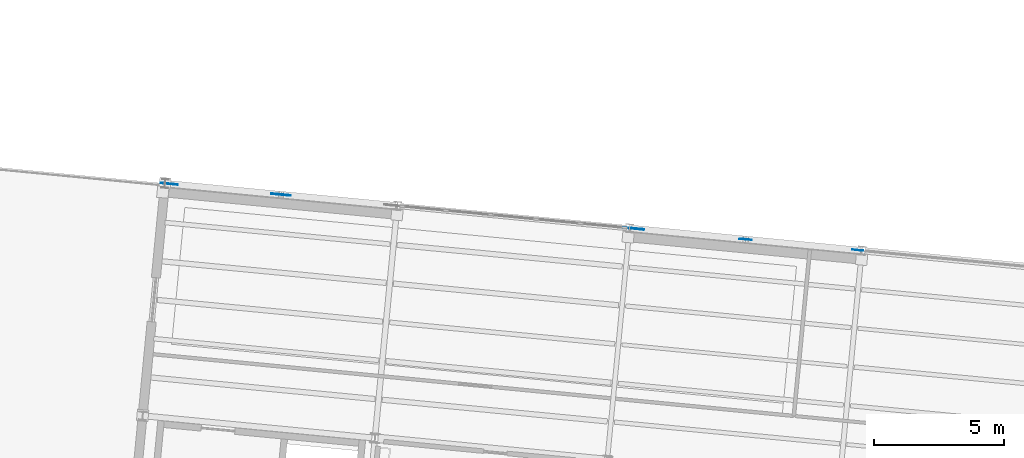
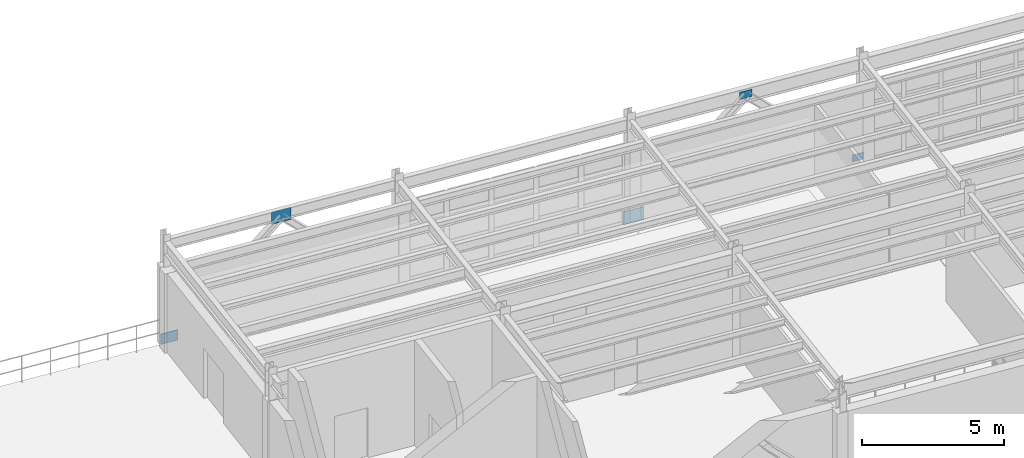
# One storey, part 82 of 102: 5 plates.
"""IFC4 building model written with IfcOpenShell, lengths in metres."""

import ifcopenshell
import ifcopenshell.guid

model = None  # the IFC model being written
_history = None  # IfcOwnerHistory: only IFC2X3 demands one
_inside = {}  # id of a spatial element -> (the spatial element, [elements in it])
_under = {}  # id of a project, library or spatial element -> (it, [spatial elements below it])
_declared = {}  # id of a project -> (the project, [libraries it declares])
_typed = {}  # id of a type object -> (the type object, [elements of that type])
_made_of = {}  # id of a material, layer set ... -> (it, [elements and type objects made of it])


def new_model(schema):
    """Start an empty IFC model of exactly this schema.

    Asked for "IFC4X3", IfcOpenShell would pick the latest addendum, in which some entities
    have other attributes; the version numbers below select the first issue.
    IFC2X3 requires an IfcOwnerHistory on every rooted entity: one is made here for all.
    """
    global model, _history
    if schema == "IFC4X3":
        model = ifcopenshell.file(schema_version=(4, 3, 0, 0))
    else:
        model = ifcopenshell.file(schema=schema)
    _inside.clear()
    _under.clear()
    _declared.clear()
    _typed.clear()
    _made_of.clear()
    _history = None
    if model.schema == "IFC2X3":
        org = make("IfcOrganization", Name="unknown")
        user = make(
            "IfcPersonAndOrganization",
            ThePerson=make("IfcPerson", FamilyName="unknown"),
            TheOrganization=org,
        )
        app = make(
            "IfcApplication",
            ApplicationDeveloper=org,
            Version="unknown",
            ApplicationFullName="unknown",
            ApplicationIdentifier="unknown",
        )
        _history = make(
            "IfcOwnerHistory",
            OwningUser=user,
            OwningApplication=app,
            ChangeAction="ADDED",
            CreationDate=0,
        )
    return model


def make(cls, **values):
    """One entity of the class cls with the attributes given. An attribute that is None is left unset."""
    return model.create_entity(
        cls, **{name: value for name, value in values.items() if value is not None}
    )


def rooted(cls, **values):
    """An entity with a GlobalId (a new one), such as an element, a storey or a relation."""
    return make(cls, GlobalId=ifcopenshell.guid.new(), OwnerHistory=_history, **values)


def si_unit(unit_type, name, prefix=None):
    """IfcSIUnit, for example si_unit("LENGTHUNIT", "METRE", prefix="MILLI")."""
    return make("IfcSIUnit", UnitType=unit_type, Prefix=prefix, Name=name)


def assignment(units):
    """IfcUnitAssignment: the units of a project."""
    return None if units is None else make("IfcUnitAssignment", Units=units)


def point(xyz):
    """IfcCartesianPoint."""
    return None if xyz is None else make("IfcCartesianPoint", Coordinates=xyz)


def direction(xyz):
    """IfcDirection."""
    return None if xyz is None else make("IfcDirection", DirectionRatios=xyz)


def frame(location, z_axis=None, x_axis=None):
    """IfcAxis2Placement3D, a coordinate frame: its origin and axes. An axis left out is left unset."""
    return make(
        "IfcAxis2Placement3D",
        Location=point(location),
        Axis=direction(z_axis),
        RefDirection=direction(x_axis),
    )


def frame_2d(location, x_axis=None):
    """IfcAxis2Placement2D, a coordinate frame in the plane: its origin and x axis."""
    return make(
        "IfcAxis2Placement2D", Location=point(location), RefDirection=direction(x_axis)
    )


def origin():
    """The frame at (0, 0, 0) with its axes left unset."""
    return frame((0.0, 0.0, 0.0))


def origin_2d():
    """The frame at (0, 0) in the plane with its x axis left unset."""
    return frame_2d((0.0, 0.0))


def place(relative_to, where):
    """IfcLocalPlacement: puts the frame where relative to a parent placement (None: the world)."""
    return make(
        "IfcLocalPlacement", PlacementRelTo=relative_to, RelativePlacement=where
    )


def context(
    kind, dimensions, precision=None, world=None, true_north=None, identifier=None
):
    """IfcGeometricRepresentationContext, for example the 3D "Model" context."""
    return make(
        "IfcGeometricRepresentationContext",
        ContextIdentifier=identifier,
        ContextType=kind,
        CoordinateSpaceDimension=dimensions,
        Precision=precision,
        WorldCoordinateSystem=world,
        TrueNorth=true_north,
    )


def subcontext(parent, identifier, kind, view, scale=None):
    """IfcGeometricRepresentationSubContext, for example "Body" below "Model"."""
    return make(
        "IfcGeometricRepresentationSubContext",
        ContextIdentifier=identifier,
        ContextType=kind,
        ParentContext=parent,
        TargetScale=scale,
        TargetView=view,
    )


def project(units=None, contexts=None):
    """IfcProject with its units and contexts."""
    return rooted(
        "IfcProject",
        Name="project",
        RepresentationContexts=contexts,
        UnitsInContext=assignment(units),
    )


def spatial(cls, under=None, at=None, **own):
    """A site, building, storey or space (cls), placed at a placement, below another one or the project."""
    s = rooted(cls, ObjectPlacement=at, **own)
    if under is not None:
        _under.setdefault(under.id(), (under, []))[1].append(s)
    return s


def profile(cls, at=None, kind="AREA", **sizes):
    """A parametric profile (cls). Its sizes go by their IFC names, for example OverallWidth=200.0."""
    return make(cls, ProfileType=kind, Position=at, **sizes)


def rectangle(**sizes):
    """IfcRectangleProfileDef."""
    return profile("IfcRectangleProfileDef", **sizes)


def extrude(swept, where, along, depth):
    """IfcExtrudedAreaSolid: the profile swept, set in the frame where, extruded along a direction by depth."""
    return make(
        "IfcExtrudedAreaSolid",
        SweptArea=swept,
        Position=where,
        ExtrudedDirection=direction(along),
        Depth=depth,
    )


def shape(context_of_items, identifier, shape_type, items):
    """IfcShapeRepresentation: the items that make up one representation, for example the "Body"."""
    return make(
        "IfcShapeRepresentation",
        ContextOfItems=context_of_items,
        RepresentationIdentifier=identifier,
        RepresentationType=shape_type,
        Items=items,
    )


def material(Name=None, Category=None):
    """IfcMaterial."""
    return make("IfcMaterial", Name=Name, Category=Category)


def layer(
    of_material, thickness, ventilated=None, Name=None, Category=None, Priority=None
):
    """IfcMaterialLayer: one layer of a wall or slab, of a material (None: an air gap)."""
    return make(
        "IfcMaterialLayer",
        Material=of_material,
        LayerThickness=thickness,
        IsVentilated=ventilated,
        Name=Name,
        Category=Category,
        Priority=Priority,
    )


def layer_set(layers, Name=None):
    """IfcMaterialLayerSet."""
    return make("IfcMaterialLayerSet", MaterialLayers=layers, LayerSetName=Name)


def made_of(thing, what):
    """Note that an element or type object is made of a material, layer set ...; save() writes the relation."""
    if what is not None:
        _made_of.setdefault(what.id(), (what, []))[1].append(thing)
    return thing


def type_object(cls, material=None, **own):
    """A type object (cls), such as IfcWallType, which elements share."""
    return made_of(rooted(cls, **own), material)


def element(
    cls,
    number,
    at=None,
    inside=None,
    cuts=None,
    type_object=None,
    material=None,
    context=None,
    identifier="Body",
    shape_type=None,
    held_by="IfcProductDefinitionShape",
    body=None,
    shapes=None,
    **own,
):
    """One element of the class cls, such as IfcWall. Its Tag is "e" and its number.

    at: its placement. inside: the storey or other place that contains it. cuts: it is an
    opening in that element (IfcRelVoidsElement). A single representation is given by context,
    identifier, shape_type and body (its items); several are given by shapes. held_by: the class
    of the entity that holds the representations. save() writes the other relations.
    """
    e = rooted(cls, Tag="e%d" % number, ObjectPlacement=at, **own)
    if body is not None:
        shapes = [shape(context, identifier, shape_type, body)]
    if shapes is not None:
        e.Representation = make(held_by, Representations=shapes)
    if inside is not None:
        _inside.setdefault(inside.id(), (inside, []))[1].append(e)
    if cuts is not None:
        rooted(
            "IfcRelVoidsElement", RelatingBuildingElement=cuts, RelatedOpeningElement=e
        )
    if type_object is not None:
        _typed.setdefault(type_object.id(), (type_object, []))[1].append(e)
    return made_of(e, material)


def aggregate(whole, parts):
    """IfcRelAggregates: a whole, such as a stair, and the parts it consists of."""
    return rooted("IfcRelAggregates", RelatingObject=whole, RelatedObjects=parts)


def save(model, path):
    """Write the relations noted so far, then the file.

    IfcRelAggregates (storeys below a building ...), IfcRelContainedInSpatialStructure (elements
    in a storey), IfcRelDefinesByType, IfcRelAssociatesMaterial and IfcRelDeclares: one each for
    every whole, place, type object, material and project.
    """
    for whole, parts in _under.values():
        aggregate(whole, parts)
    for where, things in _inside.values():
        rooted(
            "IfcRelContainedInSpatialStructure",
            RelatedElements=things,
            RelatingStructure=where,
        )
    for kind, things in _typed.values():
        rooted("IfcRelDefinesByType", RelatedObjects=things, RelatingType=kind)
    for what, things in _made_of.values():
        rooted("IfcRelAssociatesMaterial", RelatedObjects=things, RelatingMaterial=what)
    for by, libraries in _declared.values():
        rooted("IfcRelDeclares", RelatingContext=by, RelatedDefinitions=libraries)
    model.write(path)


model = new_model("IFC4")

# Units and contexts
model_context = context("Model", 3, precision=1e-05, world=origin(), true_north=direction((0.0, 1.0)))
body_context = subcontext(model_context, "Body", "Model", "MODEL_VIEW")
ifc_project = project(units=[si_unit("LENGTHUNIT", "METRE"), si_unit("AREAUNIT", "SQUARE_METRE"), si_unit("VOLUMEUNIT", "CUBIC_METRE"), si_unit("PLANEANGLEUNIT", "RADIAN"), si_unit("MASSUNIT", "GRAM", prefix="KILO")], contexts=[model_context])

# Site, building, storey
site_placement = place(None, origin())
site = spatial("IfcSite", under=ifc_project, at=site_placement, CompositionType="ELEMENT")
building_placement = place(site_placement, origin())
building = spatial("IfcBuilding", under=site, at=building_placement, Name="Vireo Bluff Cable Station", CompositionType="ELEMENT")
storey_placement = place(building_placement, frame((0.0, 0.0, 9.60009765625)))
storey = spatial("IfcBuildingStorey", under=building, at=storey_placement, Name="L02", CompositionType="ELEMENT", Elevation=9.60009765625)

# Plates
ifc_material = material(Name="Steel ASTM A572 Gr. 50", Category="steel")
ifc_layer_1 = layer(ifc_material, 0.01708984375, Name="Steel ASTM A572 Gr. 50")
ifc_layer_set_1 = layer_set([ifc_layer_1], Name="Steel ASTM A572 Gr. 50")
plate_type_1 = type_object("IfcPlateType", Name="GUSSET-440X290X17", PredefinedType="USERDEFINED", material=ifc_layer_set_1)
plate_1_placement = place(storey_placement, frame((96.1796875, 82.348388671875, 0.074951171875), z_axis=(0.0, 0.0, 1.0), x_axis=(0.995396198367, -0.09584575252, 0.0)))
element("IfcPlate", 1, at=plate_1_placement, inside=storey, type_object=plate_type_1, Name="V3 L02 brace base gusset plate 150", ObjectType="GUSSET PLATE", PredefinedType="USERDEFINED", context=body_context, shape_type="SweptSolid", body=[
    extrude(rectangle(XDim=0.43994140625, YDim=0.01708984375, at=origin_2d()), origin(), (0.0, 0.0, 1.0), 0.2900390625),
])
ifc_layer_2 = layer(ifc_material, 0.01904296875, Name="Steel ASTM A572 Gr. 50")
ifc_layer_set_2 = layer_set([ifc_layer_2], Name="Steel ASTM A572 Gr. 50")
plate_type_2 = type_object("IfcPlateType", Name="GUSSET-480X310X19", PredefinedType="USERDEFINED", material=ifc_layer_set_2)
plate_2_placement = place(storey_placement, frame((91.859619140625, 82.764404296875, 4.02490234375), z_axis=(0.0, 0.0, 1.0), x_axis=(0.995396198367, -0.09584575252, 0.0)))
element("IfcPlate", 2, at=plate_2_placement, inside=storey, type_object=plate_type_2, Name="V3 L02 chevron gusset plate 151", ObjectType="GUSSET PLATE", PredefinedType="USERDEFINED", context=body_context, shape_type="SweptSolid", body=[
    extrude(rectangle(XDim=0.47998046875, YDim=0.01904296875, at=origin_2d()), origin(), (0.0, 0.0, 1.0), 0.31005859375),
])
ifc_layer_3 = layer(ifc_material, 0.028076171875, Name="Steel ASTM A572 Gr. 50")
ifc_layer_set_3 = layer_set([ifc_layer_3], Name="Steel ASTM A572 Gr. 50")
plate_type_3 = type_object("IfcPlateType", Name="GUSSET-660X450X28", PredefinedType="USERDEFINED", material=ifc_layer_set_3)
plate_3_placement = place(storey_placement, frame((69.62255859375, 84.90576171875, -0.0048828125), z_axis=(0.0, 0.0, 1.0), x_axis=(0.995396198367, -0.09584575252, 0.0)))
element("IfcPlate", 3, at=plate_3_placement, inside=storey, type_object=plate_type_3, Name="V3 L02 brace base gusset plate 146", ObjectType="GUSSET PLATE", PredefinedType="USERDEFINED", context=body_context, shape_type="SweptSolid", body=[
    extrude(rectangle(XDim=0.659912109375, YDim=0.028076171875, at=origin_2d()), origin(), (0.0, 0.0, 1.0), 0.449951171875),
])
ifc_layer_4 = layer(ifc_material, 0.031982421875, Name="Steel ASTM A572 Gr. 50")
ifc_layer_set_4 = layer_set([ifc_layer_4], Name="Steel ASTM A572 Gr. 50")
plate_type_4 = type_object("IfcPlateType", Name="GUSSET-750X520X32", PredefinedType="USERDEFINED", material=ifc_layer_set_4)
plate_4_placement = place(storey_placement, frame((73.942626953125, 84.48974609375, 3.919921875), z_axis=(0.0, 0.0, 1.0), x_axis=(0.995396198367, -0.09584575252, 0.0)))
element("IfcPlate", 4, at=plate_4_placement, inside=storey, type_object=plate_type_4, Name="V3 L02 chevron gusset plate 148", ObjectType="GUSSET PLATE", PredefinedType="USERDEFINED", context=body_context, shape_type="SweptSolid", body=[
    extrude(rectangle(XDim=0.75, YDim=0.031982421875, at=origin_2d()), origin(), (0.0, 0.0, 1.0), 0.52001953125),
])
ifc_layer_5 = layer(ifc_material, 0.034912109375, Name="Steel ASTM A572 Gr. 50")
ifc_layer_set_5 = layer_set([ifc_layer_5], Name="Steel ASTM A572 Gr. 50")
plate_type_5 = type_object("IfcPlateType", Name="GUSSET-800X560X35", PredefinedType="USERDEFINED", material=ifc_layer_set_5)
plate_5_placement = place(storey_placement, frame((87.539794921875, 83.180419921875, -0.06005859375), z_axis=(0.0, 0.0, 1.0), x_axis=(0.995396198367, -0.09584575252, 0.0)))
element("IfcPlate", 5, at=plate_5_placement, inside=storey, type_object=plate_type_5, Name="V3 L02 brace base gusset plate 149", ObjectType="GUSSET PLATE", PredefinedType="USERDEFINED", context=body_context, shape_type="SweptSolid", body=[
    extrude(rectangle(XDim=0.800048828125, YDim=0.034912109375, at=origin_2d()), origin(), (0.0, 0.0, 1.0), 0.56005859375),
])

save(model, "model.ifc")
